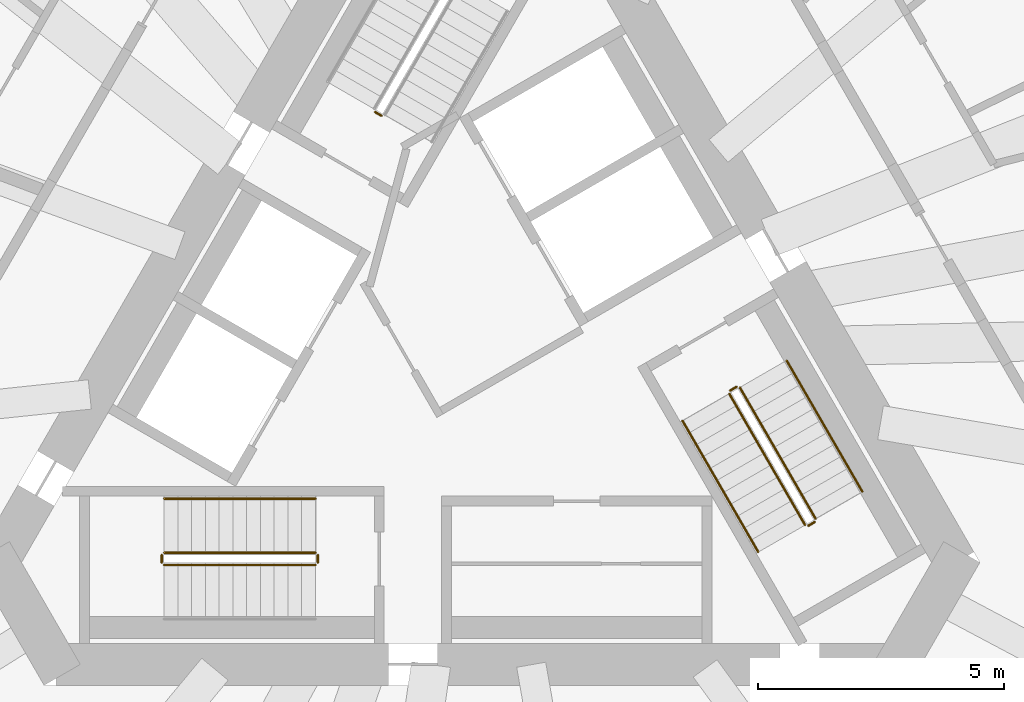
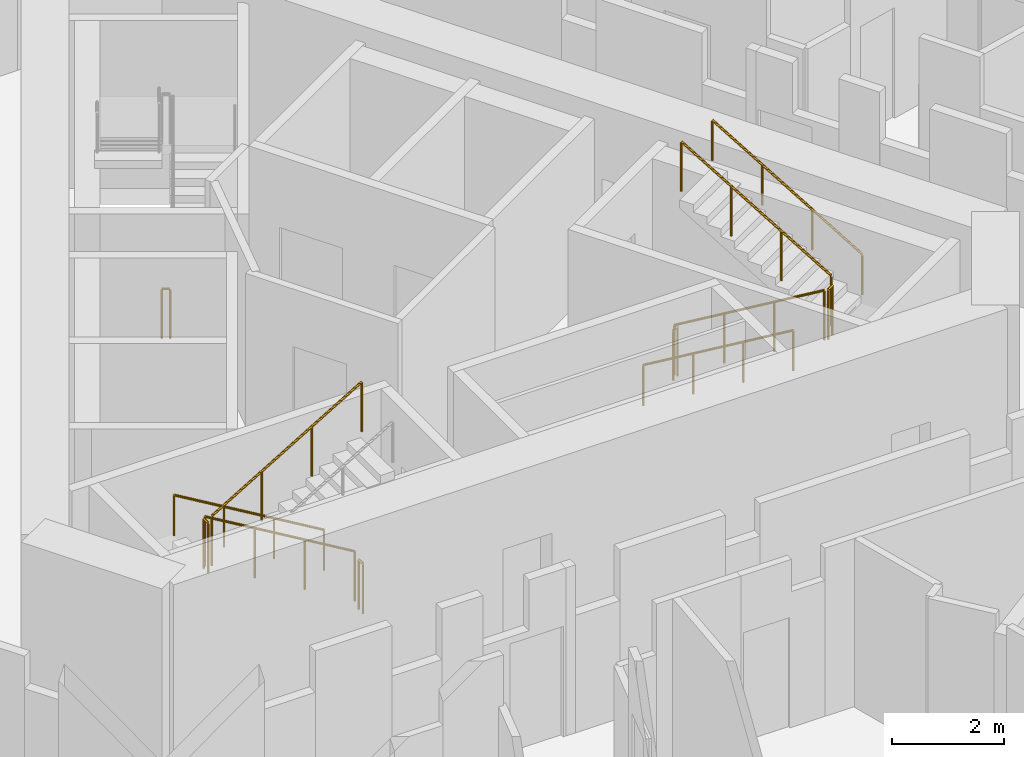
# One storey, part 11 of 14: 12 railings.
"""IFC4 building model written with IfcOpenShell, lengths in metres."""

from ifc_helpers import new_model, si_unit, direction, frame, origin, origin_2d, place, context, subcontext, project, spatial, circle, extrude, material, type_object, element, save


model = new_model("IFC4")

# Units and contexts
model_context = context("Model", 3, precision=1e-05, world=origin(), true_north=direction((0.0, 1.0)))
body_context = subcontext(model_context, "Body", "Model", "MODEL_VIEW")
ifc_project = project(units=[si_unit("LENGTHUNIT", "METRE"), si_unit("AREAUNIT", "SQUARE_METRE"), si_unit("VOLUMEUNIT", "CUBIC_METRE"), si_unit("PLANEANGLEUNIT", "RADIAN"), si_unit("MASSUNIT", "GRAM", prefix="KILO")], contexts=[model_context])

# Site, building, storey
site_placement = place(None, origin())
site = spatial("IfcSite", under=ifc_project, at=site_placement, CompositionType="ELEMENT")
building_placement = place(site_placement, origin())
building = spatial("IfcBuilding", under=site, at=building_placement, Name="Tramontana Tower", CompositionType="ELEMENT")
storey_placement = place(building_placement, frame((0.0, 0.0, 186.800048828125)))
storey = spatial("IfcBuildingStorey", under=building, at=storey_placement, Name="L43", CompositionType="ELEMENT", Elevation=186.800048828125)

# Railings
ifc_material_1 = material(Name="Painted steel", Category="steel")
railing_type_1 = type_object("IfcRailingType", Name="STAIR GUARD 1100", PredefinedType="GUARDRAIL", material=ifc_material_1)
railing_1_placement = place(storey_placement, frame((-1.935791015625, 4.84716796875, 0.0)))
element("IfcRailing", 1, at=railing_1_placement, inside=storey, type_object=railing_type_1, Name="L43 ST1 stair guard 4", PredefinedType="GUARDRAIL", context=body_context, shape_type="SweptSolid", body=[
    extrude(circle(Radius=0.02392578125, at=origin_2d()), frame((0.0, 0.0, 1.076171875), z_axis=(-0.865426285481, 0.501036270542, 0.0), x_axis=(-0.501036270542, -0.865426285481, 0.0)), (0.0, 0.0, 1.0), 0.150146484375),
    extrude(circle(Radius=0.02099609375, at=origin_2d()), origin(), (0.0, 0.0, 1.0), 1.052001953125),
    extrude(circle(Radius=0.02099609375, at=origin_2d()), frame((-0.1298828125, 0.0751953125, 0.0)), (0.0, 0.0, 1.0), 1.052001953125),
])
railing_2_placement = place(storey_placement, frame((-3.280029296875, -4.050048828125, 0.16650390625)))
element("IfcRailing", 2, at=railing_2_placement, inside=storey, type_object=railing_type_1, Name="L43 ST2 stair guard 1", PredefinedType="GUARDRAIL", context=body_context, shape_type="SweptSolid", body=[
    extrude(circle(Radius=0.02392578125, at=origin_2d()), frame((0.0, 0.0, 1.076171875), z_axis=(-0.85927862911, 0.0, 0.511507807912), x_axis=(0.0, -1.0, 0.0)), (0.0, 0.0, 1.0), 3.58447265625),
    extrude(circle(Radius=0.02099609375, at=origin_2d()), origin(), (0.0, 0.0, 1.0), 1.052001953125),
    extrude(circle(Radius=0.02099609375, at=origin_2d()), frame((-1.026611328125, 0.0, 0.611083984375)), (0.0, 0.0, 1.0), 1.052001953125),
    extrude(circle(Radius=0.02099609375, at=origin_2d()), frame((-2.053466796875, 0.0, 1.222412109375)), (0.0, 0.0, 1.0), 1.052001953125),
    extrude(circle(Radius=0.02099609375, at=origin_2d()), frame((-3.080078125, 0.0, 1.83349609375)), (0.0, 0.0, 1.0), 1.052001953125),
])
railing_3_placement = place(storey_placement, frame((-6.360107421875, -4.300048828125, 2.16650390625)))
element("IfcRailing", 3, at=railing_3_placement, inside=storey, type_object=railing_type_1, Name="L43 ST2 stair guard 2", PredefinedType="GUARDRAIL", context=body_context, shape_type="SweptSolid", body=[
    extrude(circle(Radius=0.02392578125, at=origin_2d()), frame((0.0, 0.0, 1.076171875), z_axis=(0.85927862911, 0.0, 0.511507807912), x_axis=(0.0, 1.0, 0.0)), (0.0, 0.0, 1.0), 3.58447265625),
    extrude(circle(Radius=0.02099609375, at=origin_2d()), origin(), (0.0, 0.0, 1.0), 1.052001953125),
    extrude(circle(Radius=0.02099609375, at=origin_2d()), frame((1.026611328125, 0.0, 0.611083984375)), (0.0, 0.0, 1.0), 1.052001953125),
    extrude(circle(Radius=0.02099609375, at=origin_2d()), frame((2.053466796875, 0.0, 1.222412109375)), (0.0, 0.0, 1.0), 1.052001953125),
    extrude(circle(Radius=0.02099609375, at=origin_2d()), frame((3.080078125, 0.0, 1.83349609375)), (0.0, 0.0, 1.0), 1.052001953125),
])
for number, where, name in (
    (4, (-6.409912109375, -4.10009765625, 2.0), "L43 ST2 stair guard 3"),
    (5, (-3.22998046875, -4.10009765625, 0.0), "L43 ST2 stair guard 4"),
):
    element("IfcRailing", number, at=place(storey_placement, frame(where)), inside=storey, type_object=railing_type_1, Name=name, PredefinedType="GUARDRAIL", context=body_context, shape_type="SweptSolid", body=[
        extrude(circle(Radius=0.02392578125, at=origin_2d()), frame((0.0, 0.0, 1.076171875), z_axis=(0.0, -1.0, 0.0), x_axis=(1.0, 0.0, 0.0)), (0.0, 0.0, 1.0), 0.14990234375),
        extrude(circle(Radius=0.02099609375, at=origin_2d()), origin(), (0.0, 0.0, 1.0), 1.052001953125),
        extrude(circle(Radius=0.02099609375, at=origin_2d()), frame((0.0, -0.14990234375, 0.0)), (0.0, 0.0, 1.0), 1.052001953125),
    ])
railing_4_placement = place(storey_placement, frame((5.1474609375, -0.815673828125, 0.16650390625)))
element("IfcRailing", 6, at=railing_4_placement, inside=storey, type_object=railing_type_1, Name="L43 ST3 stair guard 1", PredefinedType="GUARDRAIL", context=body_context, shape_type="SweptSolid", body=[
    extrude(circle(Radius=0.02392578125, at=origin_2d()), frame((0.0, 0.0, 1.076171875), z_axis=(0.429656224001, -0.744133520484, 0.511527939481), x_axis=(0.866010015463, 0.500026652407, 0.0)), (0.0, 0.0, 1.0), 3.58447265625),
    extrude(circle(Radius=0.02099609375, at=origin_2d()), origin(), (0.0, 0.0, 1.0), 1.052001953125),
    extrude(circle(Radius=0.02099609375, at=origin_2d()), frame((0.513427734375, -0.88916015625, 0.611083984375)), (0.0, 0.0, 1.0), 1.052001953125),
    extrude(circle(Radius=0.02099609375, at=origin_2d()), frame((1.026611328125, -1.778076171875, 1.222412109375)), (0.0, 0.0, 1.0), 1.052001953125),
    extrude(circle(Radius=0.02099609375, at=origin_2d()), frame((1.5400390625, -2.667236328125, 1.83349609375)), (0.0, 0.0, 1.0), 1.052001953125),
])
railing_5_placement = place(storey_placement, frame((6.90380859375, -3.35791015625, 2.16650390625)))
element("IfcRailing", 7, at=railing_5_placement, inside=storey, type_object=railing_type_1, Name="L43 ST3 stair guard 2", PredefinedType="GUARDRAIL", context=body_context, shape_type="SweptSolid", body=[
    extrude(circle(Radius=0.02392578125, at=origin_2d()), frame((0.0, 0.0, 1.076171875), z_axis=(-0.429600682602, 0.744155296881, 0.511542908886), x_axis=(-0.866044340336, -0.499967199496, 0.0)), (0.0, 0.0, 1.0), 3.584228515625),
    extrude(circle(Radius=0.02099609375, at=origin_2d()), origin(), (0.0, 0.0, 1.0), 1.052001953125),
    extrude(circle(Radius=0.02099609375, at=origin_2d()), frame((-0.51318359375, 0.88916015625, 0.611083984375)), (0.0, 0.0, 1.0), 1.052001953125),
    extrude(circle(Radius=0.02099609375, at=origin_2d()), frame((-1.026611328125, 1.778076171875, 1.222412109375)), (0.0, 0.0, 1.0), 1.052001953125),
    extrude(circle(Radius=0.02099609375, at=origin_2d()), frame((-1.539794921875, 2.667236328125, 1.83349609375)), (0.0, 0.0, 1.0), 1.052001953125),
])
for number, where, name in (
    (8, (6.755615234375, -3.501220703125, 2.0), "L43 ST3 stair guard 3"),
    (9, (5.165771484375, -0.747314453125, 0.0), "L43 ST3 stair guard 4"),
):
    element("IfcRailing", number, at=place(storey_placement, frame(where)), inside=storey, type_object=railing_type_1, Name=name, PredefinedType="GUARDRAIL", context=body_context, shape_type="SweptSolid", body=[
        extrude(circle(Radius=0.02392578125, at=origin_2d()), frame((0.0, 0.0, 1.076171875), z_axis=(0.866131372301, 0.499816412211, 0.0), x_axis=(-0.499816412211, 0.866131372301, 0.0)), (0.0, 0.0, 1.0), 0.14990234375),
        extrude(circle(Radius=0.02099609375, at=origin_2d()), origin(), (0.0, 0.0, 1.0), 1.052001953125),
        extrude(circle(Radius=0.02099609375, at=origin_2d()), frame((0.1298828125, 0.074951171875, 0.0)), (0.0, 0.0, 1.0), 1.052001953125),
    ])
ifc_material_2 = material(Name="Painted steel", Category="steel")
railing_type_2 = type_object("IfcRailingType", Name="STAIR HANDRAIL 900", PredefinedType="HANDRAIL", material=ifc_material_2)
railing_6_placement = place(storey_placement, frame((-3.280029296875, -2.949951171875, 0.16650390625)))
element("IfcRailing", 10, at=railing_6_placement, inside=storey, type_object=railing_type_2, Name="L43 ST2 stair handrail 1", PredefinedType="HANDRAIL", context=body_context, shape_type="SweptSolid", body=[
    extrude(circle(Radius=0.02392578125, at=origin_2d()), frame((0.0, 0.0, 0.8759765625), z_axis=(-0.85927862911, 0.0, 0.511507807912), x_axis=(0.0, -1.0, 0.0)), (0.0, 0.0, 1.0), 3.58447265625),
    extrude(circle(Radius=0.02099609375, at=origin_2d()), origin(), (0.0, 0.0, 1.0), 0.851806640625),
    extrude(circle(Radius=0.02099609375, at=origin_2d()), frame((-1.026611328125, 0.0, 0.611083984375)), (0.0, 0.0, 1.0), 0.851806640625),
    extrude(circle(Radius=0.02099609375, at=origin_2d()), frame((-2.053466796875, 0.0, 1.222412109375)), (0.0, 0.0, 1.0), 0.851806640625),
    extrude(circle(Radius=0.02099609375, at=origin_2d()), frame((-3.080078125, 0.0, 1.83349609375)), (0.0, 0.0, 1.0), 0.851806640625),
])
railing_7_placement = place(storey_placement, frame((4.19482421875, -1.365478515625, 0.16650390625)))
element("IfcRailing", 11, at=railing_7_placement, inside=storey, type_object=railing_type_2, Name="L43 ST3 stair handrail 1", PredefinedType="HANDRAIL", context=body_context, shape_type="SweptSolid", body=[
    extrude(circle(Radius=0.02392578125, at=origin_2d()), frame((0.0, 0.0, 0.8759765625), z_axis=(0.429634447492, -0.7441639146, 0.511502013422), x_axis=(0.866029832698, 0.499992328818, 0.0)), (0.0, 0.0, 1.0), 3.58447265625),
    extrude(circle(Radius=0.02099609375, at=origin_2d()), origin(), (0.0, 0.0, 1.0), 0.851806640625),
    extrude(circle(Radius=0.02099609375, at=origin_2d()), frame((0.513427734375, -0.88916015625, 0.611083984375)), (0.0, 0.0, 1.0), 0.851806640625),
    extrude(circle(Radius=0.02099609375, at=origin_2d()), frame((1.026611328125, -1.7783203125, 1.222412109375)), (0.0, 0.0, 1.0), 0.851806640625),
    extrude(circle(Radius=0.02099609375, at=origin_2d()), frame((1.5400390625, -2.66748046875, 1.83349609375)), (0.0, 0.0, 1.0), 0.851806640625),
])
railing_8_placement = place(storey_placement, frame((7.8564453125, -2.807861328125, 2.16650390625)))
element("IfcRailing", 12, at=railing_8_placement, inside=storey, type_object=railing_type_2, Name="L43 ST3 stair handrail 2", PredefinedType="HANDRAIL", context=body_context, shape_type="SweptSolid", body=[
    extrude(circle(Radius=0.02392578125, at=origin_2d()), frame((0.0, 0.0, 0.8759765625), z_axis=(-0.429600682602, 0.744155296881, 0.511542908886), x_axis=(-0.866044340336, -0.499967199496, 0.0)), (0.0, 0.0, 1.0), 3.584228515625),
    extrude(circle(Radius=0.02099609375, at=origin_2d()), origin(), (0.0, 0.0, 1.0), 0.851806640625),
    extrude(circle(Radius=0.02099609375, at=origin_2d()), frame((-0.51318359375, 0.88916015625, 0.611083984375)), (0.0, 0.0, 1.0), 0.851806640625),
    extrude(circle(Radius=0.02099609375, at=origin_2d()), frame((-1.026611328125, 1.778076171875, 1.222412109375)), (0.0, 0.0, 1.0), 0.851806640625),
    extrude(circle(Radius=0.02099609375, at=origin_2d()), frame((-1.539794921875, 2.667236328125, 1.83349609375)), (0.0, 0.0, 1.0), 0.851806640625),
])

save(model, "model.ifc")
